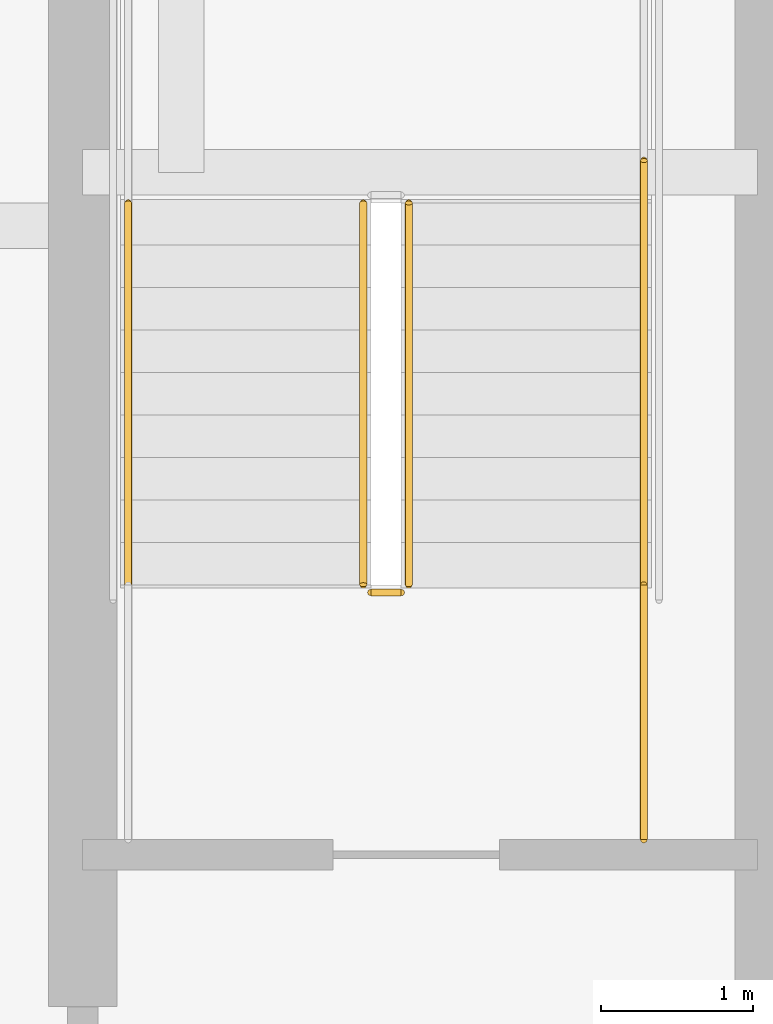
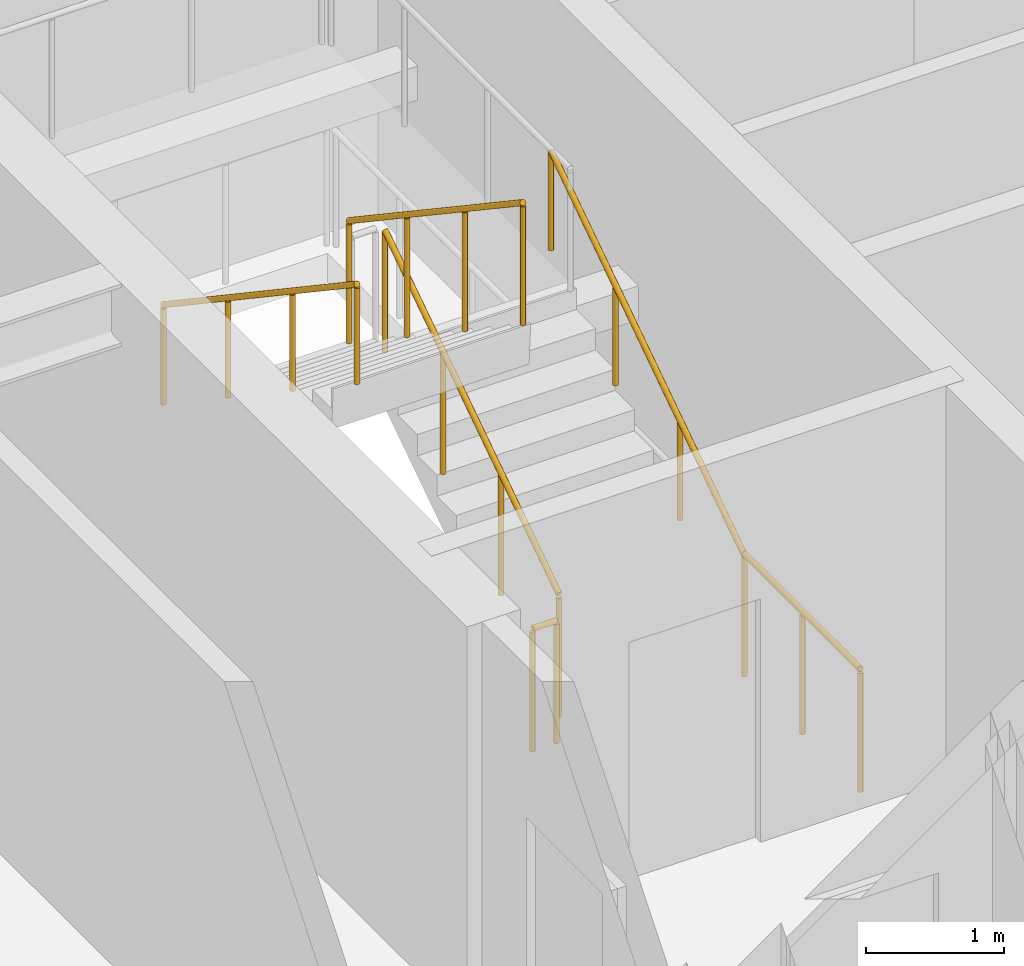
# One storey, part 35 of 39: 6 railings.
"""IFC4 building model written with IfcOpenShell, lengths in metres."""

from ifc_helpers import new_model, si_unit, direction, frame, origin, origin_2d, place, context, subcontext, project, spatial, circle, extrude, material, type_object, element, save


model = new_model("IFC4")

# Units and contexts
model_context = context("Model", 3, precision=1e-05, world=origin(), true_north=direction((0.0, 1.0)))
body_context = subcontext(model_context, "Body", "Model", "MODEL_VIEW")
ifc_project = project(units=[si_unit("LENGTHUNIT", "METRE"), si_unit("AREAUNIT", "SQUARE_METRE"), si_unit("VOLUMEUNIT", "CUBIC_METRE"), si_unit("PLANEANGLEUNIT", "RADIAN"), si_unit("MASSUNIT", "GRAM", prefix="KILO")], contexts=[model_context])

# Site, building, storey
site_placement = place(None, origin())
site = spatial("IfcSite", under=ifc_project, at=site_placement, CompositionType="ELEMENT")
building_placement = place(site_placement, origin())
building = spatial("IfcBuilding", under=site, at=building_placement, Name="Serunith Strait Residences", CompositionType="ELEMENT")
storey_placement = place(building_placement, frame((0.0, 0.0, 94.199951171875)))
storey = spatial("IfcBuildingStorey", under=building, at=storey_placement, Name="L23", CompositionType="ELEMENT", Elevation=94.199951171875)

# Railings
ifc_material = material(Name="Brushed stainless steel 316L", Category="steel")
railing_type_1 = type_object("IfcRailingType", Name="RLG-STAIR-GUARD", PredefinedType="BALUSTRADE", material=ifc_material)
railing_1_placement = place(storey_placement, frame((25.550048828125, 27.030029296875, 0.1875)))
element("IfcRailing", 1, at=railing_1_placement, inside=storey, type_object=railing_type_1, Name="L23 ST-1 stair guard 1", PredefinedType="BALUSTRADE", context=body_context, shape_type="SweptSolid", body=[
    extrude(circle(Radius=0.02392578125, at=origin_2d()), frame((0.0, 0.001708984375, 1.0771484375), z_axis=(0.0, 0.830909170722, 0.55640807867), x_axis=(-1.0, 0.0, 0.0)), (0.0, 0.0, 1.0), 3.02880859375),
    extrude(circle(Radius=0.02099609375, at=origin_2d()), origin(), (0.0, 0.0, 1.0), 1.050048828125),
    extrude(circle(Radius=0.02099609375, at=origin_2d()), frame((0.0, 0.840087890625, 0.5625)), (0.0, 0.0, 1.0), 1.050048828125),
    extrude(circle(Radius=0.02099609375, at=origin_2d()), frame((0.0, 1.679931640625, 1.125)), (0.0, 0.0, 1.0), 1.050048828125),
    extrude(circle(Radius=0.02099609375, at=origin_2d()), frame((0.0, 2.52001953125, 1.6875)), (0.0, 0.0, 1.0), 1.050048828125),
])
railing_2_placement = place(storey_placement, frame((25.25, 29.550048828125, 2.0625)))
element("IfcRailing", 2, at=railing_2_placement, inside=storey, type_object=railing_type_1, Name="L23 ST-1 stair guard 6", PredefinedType="BALUSTRADE", context=body_context, shape_type="SweptSolid", body=[
    extrude(circle(Radius=0.02392578125, at=origin_2d()), frame((0.0, -0.001708984375, 1.0771484375), z_axis=(0.0, -0.830909170722, 0.55640807867), x_axis=(1.0, 0.0, 0.0)), (0.0, 0.0, 1.0), 3.02880859375),
    extrude(circle(Radius=0.02099609375, at=origin_2d()), origin(), (0.0, 0.0, 1.0), 1.050048828125),
    extrude(circle(Radius=0.02099609375, at=origin_2d()), frame((0.0, -0.840087890625, 0.5625)), (0.0, 0.0, 1.0), 1.050048828125),
    extrude(circle(Radius=0.02099609375, at=origin_2d()), frame((0.0, -1.679931640625, 1.125)), (0.0, 0.0, 1.0), 1.050048828125),
    extrude(circle(Radius=0.02099609375, at=origin_2d()), frame((0.0, -2.52001953125, 1.6875)), (0.0, 0.0, 1.0), 1.050048828125),
])
railing_3_placement = place(storey_placement, frame((25.5, 26.97998046875, 0.0)))
element("IfcRailing", 3, at=railing_3_placement, inside=storey, type_object=railing_type_1, Name="L23 ST-1 stair guard 7", PredefinedType="BALUSTRADE", context=body_context, shape_type="SweptSolid", body=[
    extrude(circle(Radius=0.02392578125, at=origin_2d()), frame((-0.001953125, 0.0, 1.076171875), z_axis=(-1.0, 0.0, 0.0), x_axis=(0.0, -1.0, 0.0)), (0.0, 0.0, 1.0), 0.196044921875),
    extrude(circle(Radius=0.02099609375, at=origin_2d()), origin(), (0.0, 0.0, 1.0), 1.050048828125),
    extrude(circle(Radius=0.02099609375, at=origin_2d()), frame((-0.199951171875, 0.0, 0.0)), (0.0, 0.0, 1.0), 1.050048828125),
])
railing_4_placement = place(storey_placement, frame((27.10009765625, 25.35009765625, 0.0)))
element("IfcRailing", 4, at=railing_4_placement, inside=storey, type_object=railing_type_1, Name="L23 ST-1 stair guard 8", PredefinedType="BALUSTRADE", context=body_context, shape_type="SweptSolid", body=[
    extrude(circle(Radius=0.02392578125, at=origin_2d()), frame((0.0, 0.001953125, 1.076171875), z_axis=(0.0, 1.0, 0.0), x_axis=(-1.0, 0.0, 0.0)), (0.0, 0.0, 1.0), 1.676025390625),
    extrude(circle(Radius=0.02099609375, at=origin_2d()), origin(), (0.0, 0.0, 1.0), 1.050048828125),
    extrude(circle(Radius=0.02099609375, at=origin_2d()), frame((0.0, 0.83984375, 0.0)), (0.0, 0.0, 1.0), 1.050048828125),
    extrude(circle(Radius=0.02099609375, at=origin_2d()), frame((0.0, 1.679931640625, 0.0)), (0.0, 0.0, 1.0), 1.050048828125),
])
railing_type_2 = type_object("IfcRailingType", Name="RLG-STAIR-HR", PredefinedType="HANDRAIL", material=ifc_material)
railing_5_placement = place(storey_placement, frame((27.10009765625, 27.030029296875, 0.1875)))
element("IfcRailing", 5, at=railing_5_placement, inside=storey, type_object=railing_type_2, Name="L23 ST-1 stair handrail 1", PredefinedType="HANDRAIL", context=body_context, shape_type="SweptSolid", body=[
    extrude(circle(Radius=0.02392578125, at=origin_2d()), frame((0.0, 0.001708984375, 0.876953125), z_axis=(0.0, 0.830208209119, 0.557453432594), x_axis=(-1.0, 0.0, 0.0)), (0.0, 0.0, 1.0), 3.36865234375),
    extrude(circle(Radius=0.02099609375, at=origin_2d()), origin(), (0.0, 0.0, 1.0), 0.849853515625),
    extrude(circle(Radius=0.02099609375, at=origin_2d()), frame((0.0, 0.933349609375, 0.626708984375)), (0.0, 0.0, 1.0), 0.849853515625),
    extrude(circle(Radius=0.02099609375, at=origin_2d()), frame((0.0, 1.86669921875, 1.25341796875)), (0.0, 0.0, 1.0), 0.849853515625),
    extrude(circle(Radius=0.02099609375, at=origin_2d()), frame((0.0, 2.800048828125, 1.880126953125)), (0.0, 0.0, 1.0), 0.849853515625),
])
railing_6_placement = place(storey_placement, frame((23.699951171875, 29.550048828125, 2.0625)))
element("IfcRailing", 6, at=railing_6_placement, inside=storey, type_object=railing_type_2, Name="L23 ST-1 stair handrail 2", PredefinedType="HANDRAIL", context=body_context, shape_type="SweptSolid", body=[
    extrude(circle(Radius=0.02392578125, at=origin_2d()), frame((0.0, -0.001708984375, 0.876953125), z_axis=(0.0, -0.830208209119, 0.557453432594), x_axis=(1.0, 0.0, 0.0)), (0.0, 0.0, 1.0), 3.36865234375),
    extrude(circle(Radius=0.02099609375, at=origin_2d()), origin(), (0.0, 0.0, 1.0), 0.849853515625),
    extrude(circle(Radius=0.02099609375, at=origin_2d()), frame((0.0, -0.933349609375, 0.626708984375)), (0.0, 0.0, 1.0), 0.849853515625),
    extrude(circle(Radius=0.02099609375, at=origin_2d()), frame((0.0, -1.86669921875, 1.25341796875)), (0.0, 0.0, 1.0), 0.849853515625),
    extrude(circle(Radius=0.02099609375, at=origin_2d()), frame((0.0, -2.800048828125, 1.880126953125)), (0.0, 0.0, 1.0), 0.849853515625),
])

save(model, "model.ifc")
